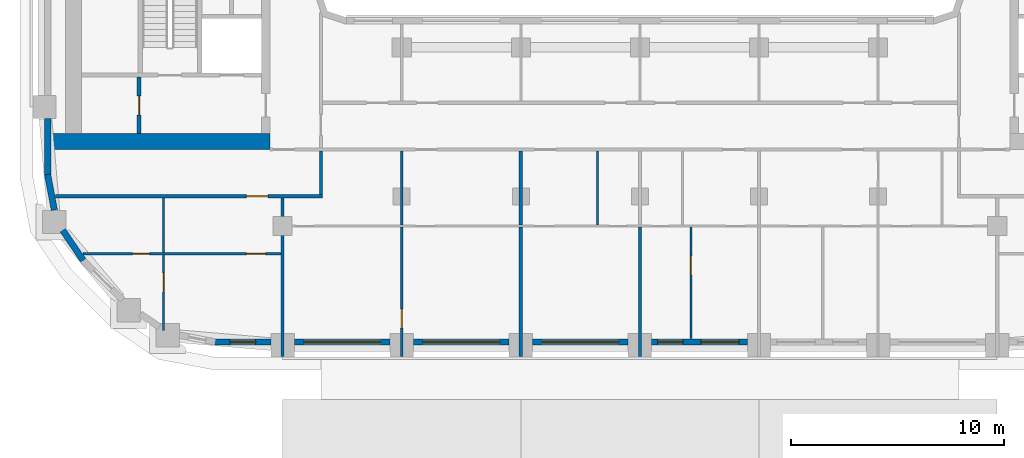
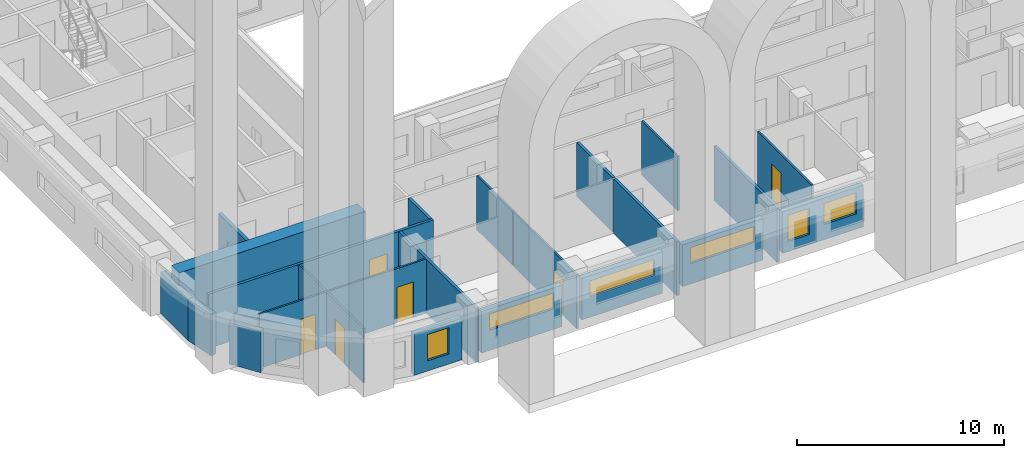
# One storey, part 2 of 18: 23 walls, 7 doors, 6 windows, 13 openings.
"""IFC4 building model written with IfcOpenShell, lengths in metres."""

import ifcopenshell
import ifcopenshell.guid

model = None  # the IFC model being written
_history = None  # IfcOwnerHistory: only IFC2X3 demands one
_inside = {}  # id of a spatial element -> (the spatial element, [elements in it])
_under = {}  # id of a project, library or spatial element -> (it, [spatial elements below it])
_declared = {}  # id of a project -> (the project, [libraries it declares])
_typed = {}  # id of a type object -> (the type object, [elements of that type])
_made_of = {}  # id of a material, layer set ... -> (it, [elements and type objects made of it])


def new_model(schema):
    """Start an empty IFC model of exactly this schema.

    Asked for "IFC4X3", IfcOpenShell would pick the latest addendum, in which some entities
    have other attributes; the version numbers below select the first issue.
    IFC2X3 requires an IfcOwnerHistory on every rooted entity: one is made here for all.
    """
    global model, _history
    if schema == "IFC4X3":
        model = ifcopenshell.file(schema_version=(4, 3, 0, 0))
    else:
        model = ifcopenshell.file(schema=schema)
    _inside.clear()
    _under.clear()
    _declared.clear()
    _typed.clear()
    _made_of.clear()
    _history = None
    if model.schema == "IFC2X3":
        org = make("IfcOrganization", Name="unknown")
        user = make(
            "IfcPersonAndOrganization",
            ThePerson=make("IfcPerson", FamilyName="unknown"),
            TheOrganization=org,
        )
        app = make(
            "IfcApplication",
            ApplicationDeveloper=org,
            Version="unknown",
            ApplicationFullName="unknown",
            ApplicationIdentifier="unknown",
        )
        _history = make(
            "IfcOwnerHistory",
            OwningUser=user,
            OwningApplication=app,
            ChangeAction="ADDED",
            CreationDate=0,
        )
    return model


def make(cls, **values):
    """One entity of the class cls with the attributes given. An attribute that is None is left unset."""
    return model.create_entity(
        cls, **{name: value for name, value in values.items() if value is not None}
    )


def rooted(cls, **values):
    """An entity with a GlobalId (a new one), such as an element, a storey or a relation."""
    return make(cls, GlobalId=ifcopenshell.guid.new(), OwnerHistory=_history, **values)


def si_unit(unit_type, name, prefix=None):
    """IfcSIUnit, for example si_unit("LENGTHUNIT", "METRE", prefix="MILLI")."""
    return make("IfcSIUnit", UnitType=unit_type, Prefix=prefix, Name=name)


def assignment(units):
    """IfcUnitAssignment: the units of a project."""
    return None if units is None else make("IfcUnitAssignment", Units=units)


def point(xyz):
    """IfcCartesianPoint."""
    return None if xyz is None else make("IfcCartesianPoint", Coordinates=xyz)


def direction(xyz):
    """IfcDirection."""
    return None if xyz is None else make("IfcDirection", DirectionRatios=xyz)


def frame(location, z_axis=None, x_axis=None):
    """IfcAxis2Placement3D, a coordinate frame: its origin and axes. An axis left out is left unset."""
    return make(
        "IfcAxis2Placement3D",
        Location=point(location),
        Axis=direction(z_axis),
        RefDirection=direction(x_axis),
    )


def frame_2d(location, x_axis=None):
    """IfcAxis2Placement2D, a coordinate frame in the plane: its origin and x axis."""
    return make(
        "IfcAxis2Placement2D", Location=point(location), RefDirection=direction(x_axis)
    )


def origin():
    """The frame at (0, 0, 0) with its axes left unset."""
    return frame((0.0, 0.0, 0.0))


def place(relative_to, where):
    """IfcLocalPlacement: puts the frame where relative to a parent placement (None: the world)."""
    return make(
        "IfcLocalPlacement", PlacementRelTo=relative_to, RelativePlacement=where
    )


def context(
    kind, dimensions, precision=None, world=None, true_north=None, identifier=None
):
    """IfcGeometricRepresentationContext, for example the 3D "Model" context."""
    return make(
        "IfcGeometricRepresentationContext",
        ContextIdentifier=identifier,
        ContextType=kind,
        CoordinateSpaceDimension=dimensions,
        Precision=precision,
        WorldCoordinateSystem=world,
        TrueNorth=true_north,
    )


def subcontext(parent, identifier, kind, view, scale=None):
    """IfcGeometricRepresentationSubContext, for example "Body" below "Model"."""
    return make(
        "IfcGeometricRepresentationSubContext",
        ContextIdentifier=identifier,
        ContextType=kind,
        ParentContext=parent,
        TargetScale=scale,
        TargetView=view,
    )


def project(units=None, contexts=None):
    """IfcProject with its units and contexts."""
    return rooted(
        "IfcProject",
        Name="project",
        RepresentationContexts=contexts,
        UnitsInContext=assignment(units),
    )


def spatial(cls, under=None, at=None, **own):
    """A site, building, storey or space (cls), placed at a placement, below another one or the project."""
    s = rooted(cls, ObjectPlacement=at, **own)
    if under is not None:
        _under.setdefault(under.id(), (under, []))[1].append(s)
    return s


def profile(cls, at=None, kind="AREA", **sizes):
    """A parametric profile (cls). Its sizes go by their IFC names, for example OverallWidth=200.0."""
    return make(cls, ProfileType=kind, Position=at, **sizes)


def rectangle(**sizes):
    """IfcRectangleProfileDef."""
    return profile("IfcRectangleProfileDef", **sizes)


def extrude(swept, where, along, depth):
    """IfcExtrudedAreaSolid: the profile swept, set in the frame where, extruded along a direction by depth."""
    return make(
        "IfcExtrudedAreaSolid",
        SweptArea=swept,
        Position=where,
        ExtrudedDirection=direction(along),
        Depth=depth,
    )


def shape(context_of_items, identifier, shape_type, items):
    """IfcShapeRepresentation: the items that make up one representation, for example the "Body"."""
    return make(
        "IfcShapeRepresentation",
        ContextOfItems=context_of_items,
        RepresentationIdentifier=identifier,
        RepresentationType=shape_type,
        Items=items,
    )


def material(Name=None, Category=None):
    """IfcMaterial."""
    return make("IfcMaterial", Name=Name, Category=Category)


def layer(
    of_material, thickness, ventilated=None, Name=None, Category=None, Priority=None
):
    """IfcMaterialLayer: one layer of a wall or slab, of a material (None: an air gap)."""
    return make(
        "IfcMaterialLayer",
        Material=of_material,
        LayerThickness=thickness,
        IsVentilated=ventilated,
        Name=Name,
        Category=Category,
        Priority=Priority,
    )


def layer_set(layers, Name=None):
    """IfcMaterialLayerSet."""
    return make("IfcMaterialLayerSet", MaterialLayers=layers, LayerSetName=Name)


def made_of(thing, what):
    """Note that an element or type object is made of a material, layer set ...; save() writes the relation."""
    if what is not None:
        _made_of.setdefault(what.id(), (what, []))[1].append(thing)
    return thing


def type_object(cls, material=None, **own):
    """A type object (cls), such as IfcWallType, which elements share."""
    return made_of(rooted(cls, **own), material)


def element(
    cls,
    number,
    at=None,
    inside=None,
    cuts=None,
    type_object=None,
    material=None,
    context=None,
    identifier="Body",
    shape_type=None,
    held_by="IfcProductDefinitionShape",
    body=None,
    shapes=None,
    **own,
):
    """One element of the class cls, such as IfcWall. Its Tag is "e" and its number.

    at: its placement. inside: the storey or other place that contains it. cuts: it is an
    opening in that element (IfcRelVoidsElement). A single representation is given by context,
    identifier, shape_type and body (its items); several are given by shapes. held_by: the class
    of the entity that holds the representations. save() writes the other relations.
    """
    e = rooted(cls, Tag="e%d" % number, ObjectPlacement=at, **own)
    if body is not None:
        shapes = [shape(context, identifier, shape_type, body)]
    if shapes is not None:
        e.Representation = make(held_by, Representations=shapes)
    if inside is not None:
        _inside.setdefault(inside.id(), (inside, []))[1].append(e)
    if cuts is not None:
        rooted(
            "IfcRelVoidsElement", RelatingBuildingElement=cuts, RelatedOpeningElement=e
        )
    if type_object is not None:
        _typed.setdefault(type_object.id(), (type_object, []))[1].append(e)
    return made_of(e, material)


def fill(opening, filler):
    """IfcRelFillsElement: the door or window that sits in an opening."""
    return rooted(
        "IfcRelFillsElement",
        RelatingOpeningElement=opening,
        RelatedBuildingElement=filler,
    )


def aggregate(whole, parts):
    """IfcRelAggregates: a whole, such as a stair, and the parts it consists of."""
    return rooted("IfcRelAggregates", RelatingObject=whole, RelatedObjects=parts)


def save(model, path):
    """Write the relations noted so far, then the file.

    IfcRelAggregates (storeys below a building ...), IfcRelContainedInSpatialStructure (elements
    in a storey), IfcRelDefinesByType, IfcRelAssociatesMaterial and IfcRelDeclares: one each for
    every whole, place, type object, material and project.
    """
    for whole, parts in _under.values():
        aggregate(whole, parts)
    for where, things in _inside.values():
        rooted(
            "IfcRelContainedInSpatialStructure",
            RelatedElements=things,
            RelatingStructure=where,
        )
    for kind, things in _typed.values():
        rooted("IfcRelDefinesByType", RelatedObjects=things, RelatingType=kind)
    for what, things in _made_of.values():
        rooted("IfcRelAssociatesMaterial", RelatedObjects=things, RelatingMaterial=what)
    for by, libraries in _declared.values():
        rooted("IfcRelDeclares", RelatingContext=by, RelatedDefinitions=libraries)
    model.write(path)


model = new_model("IFC4")

# Units and contexts
model_context = context("Model", 3, precision=1e-05, world=origin(), true_north=direction((0.0, 1.0)))
body_context = subcontext(model_context, "Body", "Model", "MODEL_VIEW")
ifc_project = project(units=[si_unit("LENGTHUNIT", "METRE"), si_unit("AREAUNIT", "SQUARE_METRE"), si_unit("VOLUMEUNIT", "CUBIC_METRE"), si_unit("PLANEANGLEUNIT", "RADIAN"), si_unit("MASSUNIT", "GRAM", prefix="KILO")], contexts=[model_context])

# Site, building, storey
site_placement = place(None, origin())
site = spatial("IfcSite", under=ifc_project, at=site_placement, CompositionType="ELEMENT")
building_placement = place(site_placement, origin())
building = spatial("IfcBuilding", under=site, at=building_placement, Name="Kiln Ring Residences", CompositionType="ELEMENT")
storey_placement = place(building_placement, frame((0.0, 0.0, 136.10009765625)))
storey = spatial("IfcBuildingStorey", under=building, at=storey_placement, Name="L34", CompositionType="ELEMENT", Elevation=136.10009765625)

# Wall, opening, door
ifc_material_1 = material(Name="Gypsum board on steel studs", Category="steel")
ifc_layer_1 = layer(ifc_material_1, 0.199951171875)
ifc_layer_set_1 = layer_set([ifc_layer_1], Name="CORE-PARTITION-200")
wall_type_1 = type_object("IfcWallType", Name="CORE-PARTITION-200", PredefinedType="PARTITIONING", material=ifc_layer_set_1)
wall_1_placement = place(storey_placement, frame((-23.550048828125, -12.449951171875, 0.0), z_axis=(0.0, 0.0, 1.0), x_axis=(0.0, 1.0, 0.0)))
wall_1 = element("IfcWall", 1, at=wall_1_placement, inside=storey, type_object=wall_type_1, Name="Core partition west L34 5", PredefinedType="PARTITIONING", context=body_context, shape_type="SweptSolid", body=[
    extrude(rectangle(XDim=2.64990234375, YDim=0.199951171875, at=frame_2d((1.324951171875, 0.0))), origin(), (0.0, 0.0, 1.0), 3.199951171875),
])
opening_1_placement = place(wall_1_placement, frame((0.875, 0.0, 0.0)))
opening_1 = element("IfcOpeningElement", 2, at=opening_1_placement, cuts=wall_1, Name="Opening L34-CW10", PredefinedType="OPENING", context=body_context, shape_type="SweptSolid", body=[
    extrude(rectangle(XDim=0.89990234375, YDim=2.10009765625, at=frame_2d((0.449951171875, 1.050048828125))), frame((0.0, 0.10986328125, 0.0), z_axis=(0.0, -1.0, 0.0), x_axis=(1.0, 0.0, 0.0)), (0.0, 0.0, 1.0), 0.219970703125),
])
ifc_material_2 = material(Name="Steel door leaf", Category="steel")
door_type_1 = type_object("IfcDoorType", Name="CORE-DOOR-ROOM", OperationType="SINGLE_SWING_LEFT", PredefinedType="DOOR", material=ifc_material_2)
door_1_placement = place(opening_1_placement, origin())
door_1 = element("IfcDoor", 3, at=door_1_placement, inside=storey, type_object=door_type_1, Name="Store L34-CW10", OperationType="SINGLE_SWING_RIGHT", OverallHeight=2.10009765625, OverallWidth=0.89990234375, PredefinedType="DOOR", context=body_context, shape_type="SweptSolid", body=[
    extrude(rectangle(XDim=0.89990234375, YDim=2.10009765625, at=frame_2d((0.449951171875, 1.050048828125))), frame((0.0, 0.02490234375, 0.0), z_axis=(0.0, -1.0, 0.0), x_axis=(1.0, 0.0, 0.0)), (0.0, 0.0, 1.0), 0.050048828125),
])
fill(opening_1, door_1)

# Wall
ifc_material_3 = material(Name="Concrete C60/75", Category="concrete")
ifc_layer_2 = layer(ifc_material_3, 0.75)
ifc_layer_set_2 = layer_set([ifc_layer_2], Name="CORE-WALL-RC750")
wall_type_2 = type_object("IfcWallType", Name="CORE-WALL-RC750", PredefinedType="SHEAR", material=ifc_layer_set_2)
wall_2_placement = place(storey_placement, frame((-17.39990234375, -12.824951171875, 0.0), z_axis=(0.0, 0.0, 1.0), x_axis=(-1.0, 0.0, 0.0)))
element("IfcWall", 4, at=wall_2_placement, inside=storey, type_object=wall_type_2, Name="Core wall west L34 5", PredefinedType="SHEAR", context=body_context, shape_type="SweptSolid", body=[
    extrude(rectangle(XDim=10.400146484375, YDim=0.75, at=frame_2d((5.2001953125, 0.0))), origin(), (0.0, 0.0, 1.0), 3.199951171875),
])

# Wall, opening, window
ifc_material_4 = material(Name="Brick masonry, dark clay brick", Category="masonry")
ifc_layer_3 = layer(ifc_material_4, 0.300048828125)
ifc_layer_set_3 = layer_set([ifc_layer_3], Name="EW-300 BRICK WALL")
wall_type_3 = type_object("IfcWallType", Name="EW-300 BRICK WALL", PredefinedType="SOLIDWALL", material=ifc_layer_set_3)
wall_3_placement = place(storey_placement, frame((-20.0, -22.25, 0.0), z_axis=(0.0, 0.0, 1.0), x_axis=(1.0, 0.0, 0.0)))
wall_3 = element("IfcWall", 5, at=wall_3_placement, inside=storey, type_object=wall_type_3, Name="Facade wall L34 4", PredefinedType="SOLIDWALL", context=body_context, shape_type="SweptSolid", body=[
    extrude(rectangle(XDim=2.64990234375, YDim=0.300048828125, at=frame_2d((1.324951171875, 0.0))), origin(), (0.0, 0.0, 1.0), 2.449951171875),
])
opening_2_placement = place(wall_3_placement, frame((0.72509765625, 0.0, 0.60009765625)))
opening_2 = element("IfcOpeningElement", 6, at=opening_2_placement, cuts=wall_3, Name="Opening W1", PredefinedType="OPENING", context=body_context, shape_type="SweptSolid", body=[
    extrude(rectangle(XDim=1.199951171875, YDim=1.550048828125, at=frame_2d((0.60009765625, 0.77490234375))), frame((0.0, 0.159912109375, 0.0), z_axis=(0.0, -1.0, 0.0), x_axis=(1.0, 0.0, 0.0)), (0.0, 0.0, 1.0), 0.320068359375),
])
ifc_material_5 = material(Name="Aluminium frame with double glazing", Category="aluminium")
window_type_1 = type_object("IfcWindowType", Name="WINDOW 1200 x 1550", PartitioningType="SINGLE_PANEL", PredefinedType="WINDOW", material=ifc_material_5)
window_1_placement = place(opening_2_placement, origin())
window_1 = element("IfcWindow", 7, at=window_1_placement, inside=storey, type_object=window_type_1, Name="Window L34 3", OverallHeight=1.550048828125, OverallWidth=1.199951171875, PartitioningType="SINGLE_PANEL", PredefinedType="WINDOW", context=body_context, shape_type="SweptSolid", body=[
    extrude(rectangle(XDim=1.199951171875, YDim=1.550048828125, at=frame_2d((0.60009765625, 0.77490234375))), frame((0.0, 0.030029296875, 0.0), z_axis=(0.0, -1.0, 0.0), x_axis=(1.0, 0.0, 0.0)), (0.0, 0.0, 1.0), 0.06005859375),
])
fill(opening_2, window_1)

wall_4_placement = place(storey_placement, frame((-16.25, -22.25, 0.0), z_axis=(0.0, 0.0, 1.0), x_axis=(1.0, 0.0, 0.0)))
wall_4 = element("IfcWall", 8, at=wall_4_placement, inside=storey, type_object=wall_type_3, Name="Facade wall L34 5", PredefinedType="SOLIDWALL", context=body_context, shape_type="SweptSolid", body=[
    extrude(rectangle(XDim=4.5, YDim=0.300048828125, at=frame_2d((2.25, 0.0))), origin(), (0.0, 0.0, 1.0), 2.449951171875),
])
opening_3_placement = place(wall_4_placement, frame((0.449951171875, 0.0, 1.199951171875)))
opening_3 = element("IfcOpeningElement", 9, at=opening_3_placement, cuts=wall_4, Name="Opening W4", PredefinedType="OPENING", context=body_context, shape_type="SweptSolid", body=[
    extrude(rectangle(XDim=3.60009765625, YDim=0.949951171875, at=frame_2d((1.800048828125, 0.47509765625))), frame((0.0, 0.159912109375, 0.0), z_axis=(0.0, -1.0, 0.0), x_axis=(1.0, 0.0, 0.0)), (0.0, 0.0, 1.0), 0.320068359375),
])
ifc_material_6 = material(Name="Aluminium frame with double glazing", Category="aluminium")
window_type_2 = type_object("IfcWindowType", Name="WINDOW 3600 x 950", PartitioningType="SINGLE_PANEL", PredefinedType="WINDOW", material=ifc_material_6)
window_2_placement = place(opening_3_placement, origin())
window_2 = element("IfcWindow", 10, at=window_2_placement, inside=storey, type_object=window_type_2, Name="Window L34 4", OverallHeight=0.949951171875, OverallWidth=3.60009765625, PartitioningType="SINGLE_PANEL", PredefinedType="WINDOW", context=body_context, shape_type="SweptSolid", body=[
    extrude(rectangle(XDim=3.60009765625, YDim=0.949951171875, at=frame_2d((1.800048828125, 0.47509765625))), frame((0.0, 0.030029296875, 0.0), z_axis=(0.0, -1.0, 0.0), x_axis=(1.0, 0.0, 0.0)), (0.0, 0.0, 1.0), 0.06005859375),
])
fill(opening_3, window_2)

wall_5_placement = place(storey_placement, frame((-10.64990234375, -22.25, 0.0), z_axis=(0.0, 0.0, 1.0), x_axis=(1.0, 0.0, 0.0)))
wall_5 = element("IfcWall", 11, at=wall_5_placement, inside=storey, type_object=wall_type_3, Name="Facade wall L34 6", PredefinedType="SOLIDWALL", context=body_context, shape_type="SweptSolid", body=[
    extrude(rectangle(XDim=4.5, YDim=0.300048828125, at=frame_2d((2.25, 0.0))), origin(), (0.0, 0.0, 1.0), 2.449951171875),
])
opening_4_placement = place(wall_5_placement, frame((0.449951171875, 0.0, 1.199951171875)))
opening_4 = element("IfcOpeningElement", 12, at=opening_4_placement, cuts=wall_5, Name="Opening W4", PredefinedType="OPENING", context=body_context, shape_type="SweptSolid", body=[
    extrude(rectangle(XDim=3.60009765625, YDim=0.949951171875, at=frame_2d((1.800048828125, 0.47509765625))), frame((0.0, 0.159912109375, 0.0), z_axis=(0.0, -1.0, 0.0), x_axis=(1.0, 0.0, 0.0)), (0.0, 0.0, 1.0), 0.320068359375),
])
window_3_placement = place(opening_4_placement, origin())
window_3 = element("IfcWindow", 13, at=window_3_placement, inside=storey, type_object=window_type_2, Name="Window L34 5", OverallHeight=0.949951171875, OverallWidth=3.60009765625, PartitioningType="SINGLE_PANEL", PredefinedType="WINDOW", context=body_context, shape_type="SweptSolid", body=[
    extrude(rectangle(XDim=3.60009765625, YDim=0.949951171875, at=frame_2d((1.800048828125, 0.47509765625))), frame((0.0, 0.030029296875, 0.0), z_axis=(0.0, -1.0, 0.0), x_axis=(1.0, 0.0, 0.0)), (0.0, 0.0, 1.0), 0.06005859375),
])
fill(opening_4, window_3)

wall_6_placement = place(storey_placement, frame((-5.050048828125, -22.25, 0.0), z_axis=(0.0, 0.0, 1.0), x_axis=(1.0, 0.0, 0.0)))
wall_6 = element("IfcWall", 14, at=wall_6_placement, inside=storey, type_object=wall_type_3, Name="Facade wall L34 7", PredefinedType="SOLIDWALL", context=body_context, shape_type="SweptSolid", body=[
    extrude(rectangle(XDim=4.5, YDim=0.300048828125, at=frame_2d((2.25, 0.0))), origin(), (0.0, 0.0, 1.0), 2.449951171875),
])
opening_5_placement = place(wall_6_placement, frame((0.449951171875, 0.0, 1.199951171875)))
opening_5 = element("IfcOpeningElement", 15, at=opening_5_placement, cuts=wall_6, Name="Opening W4", PredefinedType="OPENING", context=body_context, shape_type="SweptSolid", body=[
    extrude(rectangle(XDim=3.60009765625, YDim=0.949951171875, at=frame_2d((1.800048828125, 0.47509765625))), frame((0.0, 0.159912109375, 0.0), z_axis=(0.0, -1.0, 0.0), x_axis=(1.0, 0.0, 0.0)), (0.0, 0.0, 1.0), 0.320068359375),
])
window_4_placement = place(opening_5_placement, origin())
window_4 = element("IfcWindow", 16, at=window_4_placement, inside=storey, type_object=window_type_2, Name="Window L34 6", OverallHeight=0.949951171875, OverallWidth=3.60009765625, PartitioningType="SINGLE_PANEL", PredefinedType="WINDOW", context=body_context, shape_type="SweptSolid", body=[
    extrude(rectangle(XDim=3.60009765625, YDim=0.949951171875, at=frame_2d((1.800048828125, 0.47509765625))), frame((0.0, 0.030029296875, 0.0), z_axis=(0.0, -1.0, 0.0), x_axis=(1.0, 0.0, 0.0)), (0.0, 0.0, 1.0), 0.06005859375),
])
fill(opening_5, window_4)

# Wall, openings, windows
wall_7_placement = place(storey_placement, frame((0.550048828125, -22.25, 0.0), z_axis=(0.0, 0.0, 1.0), x_axis=(1.0, 0.0, 0.0)))
wall_7 = element("IfcWall", 17, at=wall_7_placement, inside=storey, type_object=wall_type_3, Name="Facade wall L34 8", PredefinedType="SOLIDWALL", context=body_context, shape_type="SweptSolid", body=[
    extrude(rectangle(XDim=4.5, YDim=0.300048828125, at=frame_2d((2.25, 0.0))), origin(), (0.0, 0.0, 1.0), 2.449951171875),
])
opening_6_placement = place(wall_7_placement, frame((0.28759765625, 0.0, 0.60009765625)))
opening_6 = element("IfcOpeningElement", 18, at=opening_6_placement, cuts=wall_7, Name="Opening W1", PredefinedType="OPENING", context=body_context, shape_type="SweptSolid", body=[
    extrude(rectangle(XDim=1.199951171875, YDim=1.550048828125, at=frame_2d((0.60009765625, 0.77490234375))), frame((0.0, 0.159912109375, 0.0), z_axis=(0.0, -1.0, 0.0), x_axis=(1.0, 0.0, 0.0)), (0.0, 0.0, 1.0), 0.320068359375),
])
opening_7_placement = place(wall_7_placement, frame((2.3125, 0.0, 0.89990234375)))
opening_7 = element("IfcOpeningElement", 19, at=opening_7_placement, cuts=wall_7, Name="Opening W2", PredefinedType="OPENING", context=body_context, shape_type="SweptSolid", body=[
    extrude(rectangle(XDim=1.800048828125, YDim=1.25, at=frame_2d((0.89990234375, 0.625))), frame((0.0, 0.159912109375, 0.0), z_axis=(0.0, -1.0, 0.0), x_axis=(1.0, 0.0, 0.0)), (0.0, 0.0, 1.0), 0.320068359375),
])
window_5_placement = place(opening_6_placement, origin())
window_5 = element("IfcWindow", 20, at=window_5_placement, inside=storey, type_object=window_type_1, Name="Window L34 7", OverallHeight=1.550048828125, OverallWidth=1.199951171875, PartitioningType="SINGLE_PANEL", PredefinedType="WINDOW", context=body_context, shape_type="SweptSolid", body=[
    extrude(rectangle(XDim=1.199951171875, YDim=1.550048828125, at=frame_2d((0.60009765625, 0.77490234375))), frame((0.0, 0.030029296875, 0.0), z_axis=(0.0, -1.0, 0.0), x_axis=(1.0, 0.0, 0.0)), (0.0, 0.0, 1.0), 0.06005859375),
])
fill(opening_6, window_5)
ifc_material_7 = material(Name="Aluminium frame with double glazing", Category="aluminium")
window_type_3 = type_object("IfcWindowType", Name="WINDOW 1800 x 1250", PartitioningType="SINGLE_PANEL", PredefinedType="WINDOW", material=ifc_material_7)
window_6_placement = place(opening_7_placement, origin())
window_6 = element("IfcWindow", 21, at=window_6_placement, inside=storey, type_object=window_type_3, Name="Window L34 8", OverallHeight=1.25, OverallWidth=1.800048828125, PartitioningType="SINGLE_PANEL", PredefinedType="WINDOW", context=body_context, shape_type="SweptSolid", body=[
    extrude(rectangle(XDim=1.800048828125, YDim=1.25, at=frame_2d((0.89990234375, 0.625))), frame((0.0, 0.030029296875, 0.0), z_axis=(0.0, -1.0, 0.0), x_axis=(1.0, 0.0, 0.0)), (0.0, 0.0, 1.0), 0.06005859375),
])
fill(opening_7, window_6)

# Walls
wall_8_placement = place(storey_placement, frame((-27.85009765625, -11.75, 0.0), z_axis=(0.0, 0.0, 1.0), x_axis=(0.0, -1.0, 0.0)))
element("IfcWall", 22, at=wall_8_placement, inside=storey, type_object=wall_type_3, Name="Facade wall L34 46", PredefinedType="SOLIDWALL", context=body_context, shape_type="SweptSolid", body=[
    extrude(rectangle(XDim=2.64990234375, YDim=0.300048828125, at=frame_2d((1.324951171875, 0.0))), origin(), (0.0, 0.0, 1.0), 2.449951171875),
])
wall_9_placement = place(storey_placement, frame((-27.8525390625, -14.371826171875, 0.0), z_axis=(0.0, 0.0, 1.0), x_axis=(0.187302784601, -0.982302227871, 0.0)))
element("IfcWall", 23, at=wall_9_placement, inside=storey, type_object=wall_type_3, Name="Facade wall L34 47", PredefinedType="SOLIDWALL", context=body_context, shape_type="SweptSolid", body=[
    extrude(rectangle(XDim=1.706298828125, YDim=0.300048828125, at=frame_2d((0.85302734375, 0.0))), origin(), (0.0, 0.0, 1.0), 2.449951171875),
])
wall_10_placement = place(storey_placement, frame((-27.137939453125, -17.001708984375, 0.0), z_axis=(0.0, 0.0, 1.0), x_axis=(0.562075160946, -0.827086158419, 0.0)))
element("IfcWall", 24, at=wall_10_placement, inside=storey, type_object=wall_type_3, Name="Facade wall L34 48", PredefinedType="SOLIDWALL", context=body_context, shape_type="SweptSolid", body=[
    extrude(rectangle(XDim=1.7060546875, YDim=0.300048828125, at=frame_2d((0.85302734375, 0.0))), origin(), (0.0, 0.0, 1.0), 2.449951171875),
])

# Wall, openings, doors
ifc_material_8 = material(Name="Gypsum board on steel studs", Category="steel")
ifc_layer_4 = layer(ifc_material_8, 0.10009765625)
ifc_layer_set_4 = layer_set([ifc_layer_4], Name="PARTITION-100")
wall_type_4 = type_object("IfcWallType", Name="PARTITION-100", PredefinedType="PARTITIONING", material=ifc_layer_set_4)
wall_11_placement = place(storey_placement, frame((-26.190185546875, -18.10009765625, 0.0), z_axis=(0.0, 0.0, 1.0), x_axis=(1.0, 0.0, 0.0)))
wall_11 = element("IfcWall", 25, at=wall_11_placement, inside=storey, type_object=wall_type_4, Name="Partition 000", PredefinedType="PARTITIONING", context=body_context, shape_type="SweptSolid", body=[
    extrude(rectangle(XDim=9.315185546875, YDim=0.10009765625, at=frame_2d((4.65771484375, 0.0))), origin(), (0.0, 0.0, 1.0), 3.199951171875),
])
opening_8_placement = place(wall_11_placement, frame((2.340087890625, 0.0, 0.0)))
opening_8 = element("IfcOpeningElement", 26, at=opening_8_placement, cuts=wall_11, Name="Opening L34-D071", PredefinedType="OPENING", context=body_context, shape_type="SweptSolid", body=[
    extrude(rectangle(XDim=0.800048828125, YDim=2.10009765625, at=frame_2d((0.39990234375, 1.050048828125))), frame((0.0, 0.06005859375, 0.0), z_axis=(0.0, -1.0, 0.0), x_axis=(1.0, 0.0, 0.0)), (0.0, 0.0, 1.0), 0.1201171875),
])
opening_9_placement = place(wall_11_placement, frame((7.690185546875, 0.0, 0.0)))
opening_9 = element("IfcOpeningElement", 27, at=opening_9_placement, cuts=wall_11, Name="Opening L34-D072", PredefinedType="OPENING", context=body_context, shape_type="SweptSolid", body=[
    extrude(rectangle(XDim=0.89990234375, YDim=2.10009765625, at=frame_2d((0.449951171875, 1.050048828125))), frame((0.0, 0.06005859375, 0.0), z_axis=(0.0, -1.0, 0.0), x_axis=(1.0, 0.0, 0.0)), (0.0, 0.0, 1.0), 0.1201171875),
])
ifc_material_9 = material(Name="Timber door leaf", Category="wood")
door_type_2 = type_object("IfcDoorType", Name="FLAT-DOOR-800-PL", OperationType="SINGLE_SWING_LEFT", PredefinedType="DOOR", material=ifc_material_9)
door_2_placement = place(opening_8_placement, origin())
door_2 = element("IfcDoor", 28, at=door_2_placement, inside=storey, type_object=door_type_2, Name="Door L34-D071", OperationType="SINGLE_SWING_LEFT", OverallHeight=2.10009765625, OverallWidth=0.800048828125, PredefinedType="DOOR", context=body_context, shape_type="SweptSolid", body=[
    extrude(rectangle(XDim=0.800048828125, YDim=2.10009765625, at=frame_2d((0.39990234375, 1.050048828125))), frame((0.0, 0.02490234375, 0.0), z_axis=(0.0, -1.0, 0.0), x_axis=(1.0, 0.0, 0.0)), (0.0, 0.0, 1.0), 0.050048828125),
])
fill(opening_8, door_2)
ifc_material_10 = material(Name="Timber door leaf", Category="wood")
door_type_3 = type_object("IfcDoorType", Name="FLAT-DOOR-900-PL", OperationType="SINGLE_SWING_LEFT", PredefinedType="DOOR", material=ifc_material_10)
door_3_placement = place(opening_9_placement, origin())
door_3 = element("IfcDoor", 29, at=door_3_placement, inside=storey, type_object=door_type_3, Name="Door L34-D072", OperationType="SINGLE_SWING_RIGHT", OverallHeight=2.10009765625, OverallWidth=0.89990234375, PredefinedType="DOOR", context=body_context, shape_type="SweptSolid", body=[
    extrude(rectangle(XDim=0.89990234375, YDim=2.10009765625, at=frame_2d((0.449951171875, 1.050048828125))), frame((0.0, 0.02490234375, 0.0), z_axis=(0.0, -1.0, 0.0), x_axis=(1.0, 0.0, 0.0)), (0.0, 0.0, 1.0), 0.050048828125),
])
fill(opening_9, door_3)

# Wall, opening, door
wall_12_placement = place(storey_placement, frame((-22.39990234375, -21.719970703125, 0.0), z_axis=(0.0, 0.0, 1.0), x_axis=(0.0, 1.0, 0.0)))
wall_12 = element("IfcWall", 30, at=wall_12_placement, inside=storey, type_object=wall_type_4, Name="Partition 014", PredefinedType="PARTITIONING", context=body_context, shape_type="SweptSolid", body=[
    extrude(rectangle(XDim=3.570068359375, YDim=0.10009765625, at=frame_2d((1.78515625, 0.0))), origin(), (0.0, 0.0, 1.0), 3.199951171875),
])
opening_10_placement = place(wall_12_placement, frame((1.820068359375, 0.0, 0.0)))
opening_10 = element("IfcOpeningElement", 31, at=opening_10_placement, cuts=wall_12, Name="Opening L34-D073", PredefinedType="OPENING", context=body_context, shape_type="SweptSolid", body=[
    extrude(rectangle(XDim=0.89990234375, YDim=2.10009765625, at=frame_2d((0.449951171875, 1.050048828125))), frame((0.0, 0.06005859375, 0.0), z_axis=(0.0, -1.0, 0.0), x_axis=(1.0, 0.0, 0.0)), (0.0, 0.0, 1.0), 0.1201171875),
])
door_4_placement = place(opening_10_placement, origin())
door_4 = element("IfcDoor", 32, at=door_4_placement, inside=storey, type_object=door_type_3, Name="Door L34-D073", OperationType="SINGLE_SWING_LEFT", OverallHeight=2.10009765625, OverallWidth=0.89990234375, PredefinedType="DOOR", context=body_context, shape_type="SweptSolid", body=[
    extrude(rectangle(XDim=0.89990234375, YDim=2.10009765625, at=frame_2d((0.449951171875, 1.050048828125))), frame((0.0, 0.02490234375, 0.0), z_axis=(0.0, -1.0, 0.0), x_axis=(1.0, 0.0, 0.0)), (0.0, 0.0, 1.0), 0.050048828125),
])
fill(opening_10, door_4)

# Wall
wall_13_placement = place(storey_placement, frame((-22.39990234375, -18.050048828125, 0.0), z_axis=(0.0, 0.0, 1.0), x_axis=(0.0, 1.0, 0.0)))
element("IfcWall", 33, at=wall_13_placement, inside=storey, type_object=wall_type_4, Name="Partition 015", PredefinedType="PARTITIONING", context=body_context, shape_type="SweptSolid", body=[
    extrude(rectangle(XDim=2.574951171875, YDim=0.10009765625, at=frame_2d((1.28759765625, 0.0))), origin(), (0.0, 0.0, 1.0), 3.199951171875),
])

# Wall, opening, door
wall_14_placement = place(storey_placement, frame((-11.199951171875, -22.929931640625, 0.0), z_axis=(0.0, 0.0, 1.0), x_axis=(0.0, 1.0, 0.0)))
wall_14 = element("IfcWall", 34, at=wall_14_placement, inside=storey, type_object=wall_type_4, Name="Partition 024", PredefinedType="PARTITIONING", context=body_context, shape_type="SweptSolid", body=[
    extrude(rectangle(XDim=6.079833984375, YDim=0.10009765625, at=frame_2d((3.0400390625, 0.0))), origin(), (0.0, 0.0, 1.0), 3.199951171875),
])
opening_11_placement = place(wall_14_placement, frame((1.330078125, 0.0, 0.0)))
opening_11 = element("IfcOpeningElement", 35, at=opening_11_placement, cuts=wall_14, Name="Opening L34-D052", PredefinedType="OPENING", context=body_context, shape_type="SweptSolid", body=[
    extrude(rectangle(XDim=0.89990234375, YDim=2.10009765625, at=frame_2d((0.449951171875, 1.050048828125))), frame((0.0, 0.06005859375, 0.0), z_axis=(0.0, -1.0, 0.0), x_axis=(1.0, 0.0, 0.0)), (0.0, 0.0, 1.0), 0.1201171875),
])
door_5_placement = place(opening_11_placement, origin())
door_5 = element("IfcDoor", 36, at=door_5_placement, inside=storey, type_object=door_type_3, Name="Door L34-D052", OperationType="SINGLE_SWING_RIGHT", OverallHeight=2.10009765625, OverallWidth=0.89990234375, PredefinedType="DOOR", context=body_context, shape_type="SweptSolid", body=[
    extrude(rectangle(XDim=0.89990234375, YDim=2.10009765625, at=frame_2d((0.449951171875, 1.050048828125))), frame((0.0, 0.02490234375, 0.0), z_axis=(0.0, -1.0, 0.0), x_axis=(1.0, 0.0, 0.0)), (0.0, 0.0, 1.0), 0.050048828125),
])
fill(opening_11, door_5)

# Walls
for number, where, z_axis, x_axis, name in (
    (37, (-11.199951171875, -16.75, 0.0), (0.0, 0.0, 1.0), (0.0, 1.0, 0.0), "Partition 025"),
    (38, (-2.0, -16.75, 0.0), (0.0, 0.0, 1.0), (0.0, 1.0, 0.0), "Partition 038"),
):
    element("IfcWall", number, at=place(storey_placement, frame(where, z_axis=z_axis, x_axis=x_axis)), inside=storey, type_object=wall_type_4, Name=name, PredefinedType="PARTITIONING", context=body_context, shape_type="SweptSolid", body=[
        extrude(rectangle(XDim=3.47509765625, YDim=0.10009765625, at=frame_2d((1.737548828125, 0.0))), origin(), (0.0, 0.0, 1.0), 3.199951171875),
    ])

# Wall, opening, door
wall_15_placement = place(storey_placement, frame((2.39990234375, -22.080078125, 0.0), z_axis=(0.0, 0.0, 1.0), x_axis=(0.0, 1.0, 0.0)))
wall_15 = element("IfcWall", 39, at=wall_15_placement, inside=storey, type_object=wall_type_4, Name="Partition 046", PredefinedType="PARTITIONING", context=body_context, shape_type="SweptSolid", body=[
    extrude(rectangle(XDim=5.22998046875, YDim=0.10009765625, at=frame_2d((2.614990234375, 0.0))), origin(), (0.0, 0.0, 1.0), 3.199951171875),
])
opening_12_placement = place(wall_15_placement, frame((2.97998046875, 0.0, 0.0)))
opening_12 = element("IfcOpeningElement", 40, at=opening_12_placement, cuts=wall_15, Name="Opening L34-D059", PredefinedType="OPENING", context=body_context, shape_type="SweptSolid", body=[
    extrude(rectangle(XDim=0.89990234375, YDim=2.10009765625, at=frame_2d((0.449951171875, 1.050048828125))), frame((0.0, 0.06005859375, 0.0), z_axis=(0.0, -1.0, 0.0), x_axis=(1.0, 0.0, 0.0)), (0.0, 0.0, 1.0), 0.1201171875),
])
door_6_placement = place(opening_12_placement, origin())
door_6 = element("IfcDoor", 41, at=door_6_placement, inside=storey, type_object=door_type_3, Name="Door L34-D059", OperationType="SINGLE_SWING_LEFT", OverallHeight=2.10009765625, OverallWidth=0.89990234375, PredefinedType="DOOR", context=body_context, shape_type="SweptSolid", body=[
    extrude(rectangle(XDim=0.89990234375, YDim=2.10009765625, at=frame_2d((0.449951171875, 1.050048828125))), frame((0.0, 0.02490234375, 0.0), z_axis=(0.0, -1.0, 0.0), x_axis=(1.0, 0.0, 0.0)), (0.0, 0.0, 1.0), 0.050048828125),
])
fill(opening_12, door_6)

ifc_material_11 = material(Name="Brick masonry partition", Category="masonry")
ifc_layer_5 = layer(ifc_material_11, 0.14990234375)
ifc_layer_set_5 = layer_set([ifc_layer_5], Name="PARTITION-150-ei60")
wall_type_5 = type_object("IfcWallType", Name="PARTITION-150-ei60", PredefinedType="PARTITIONING", material=ifc_layer_set_5)
wall_16_placement = place(storey_placement, frame((-27.48388671875, -15.39990234375, 0.0), z_axis=(0.0, 0.0, 1.0), x_axis=(1.0, 0.0, 0.0)))
wall_16 = element("IfcWall", 42, at=wall_16_placement, inside=storey, type_object=wall_type_5, Name="Partition 003", PredefinedType="PARTITIONING", context=body_context, shape_type="SweptSolid", body=[
    extrude(rectangle(XDim=12.558837890625, YDim=0.14990234375, at=frame_2d((6.279296875, 0.0))), origin(), (0.0, 0.0, 1.0), 3.199951171875),
])
opening_13_placement = place(wall_16_placement, frame((8.98388671875, 0.0, 0.0)))
opening_13 = element("IfcOpeningElement", 43, at=opening_13_placement, cuts=wall_16, Name="Opening L34-D070", PredefinedType="OPENING", context=body_context, shape_type="SweptSolid", body=[
    extrude(rectangle(XDim=1.0, YDim=2.10009765625, at=frame_2d((0.5, 1.050048828125))), frame((0.0, 0.0849609375, 0.0), z_axis=(0.0, -1.0, 0.0), x_axis=(1.0, 0.0, 0.0)), (0.0, 0.0, 1.0), 0.169921875),
])
ifc_material_12 = material(Name="Steel faced fire door leaf", Category="steel")
door_type_4 = type_object("IfcDoorType", Name="FLAT-DOOR-1000-FR", OperationType="SINGLE_SWING_LEFT", PredefinedType="DOOR", material=ifc_material_12)
door_7_placement = place(opening_13_placement, origin())
door_7 = element("IfcDoor", 44, at=door_7_placement, inside=storey, type_object=door_type_4, Name="Door L34-D070", OperationType="SINGLE_SWING_RIGHT", OverallHeight=2.10009765625, OverallWidth=1.0, PredefinedType="DOOR", context=body_context, shape_type="SweptSolid", body=[
    extrude(rectangle(XDim=1.0, YDim=2.10009765625, at=frame_2d((0.5, 1.050048828125))), frame((0.0, 0.02490234375, 0.0), z_axis=(0.0, -1.0, 0.0), x_axis=(1.0, 0.0, 0.0)), (0.0, 0.0, 1.0), 0.050048828125),
])
fill(opening_13, door_7)

# Walls
wall_17_placement = place(storey_placement, frame((-16.800048828125, -22.929931640625, 0.0), z_axis=(0.0, 0.0, 1.0), x_axis=(0.0, 1.0, 0.0)))
element("IfcWall", 45, at=wall_17_placement, inside=storey, type_object=wall_type_5, Name="Partition 018", PredefinedType="PARTITIONING", context=body_context, shape_type="SweptSolid", body=[
    extrude(rectangle(XDim=7.454833984375, YDim=0.14990234375, at=frame_2d((3.7275390625, 0.0))), origin(), (0.0, 0.0, 1.0), 3.199951171875),
])
wall_18_placement = place(storey_placement, frame((-15.0, -15.324951171875, 0.0), z_axis=(0.0, 0.0, 1.0), x_axis=(0.0, 1.0, 0.0)))
element("IfcWall", 46, at=wall_18_placement, inside=storey, type_object=wall_type_5, Name="Partition 020", PredefinedType="PARTITIONING", context=body_context, shape_type="SweptSolid", body=[
    extrude(rectangle(XDim=2.050048828125, YDim=0.14990234375, at=frame_2d((1.02490234375, 0.0))), origin(), (0.0, 0.0, 1.0), 3.199951171875),
])
wall_19_placement = place(storey_placement, frame((-5.60009765625, -22.929931640625, 0.0), z_axis=(0.0, 0.0, 1.0), x_axis=(0.0, 1.0, 0.0)))
element("IfcWall", 47, at=wall_19_placement, inside=storey, type_object=wall_type_5, Name="Partition 032", PredefinedType="PARTITIONING", context=body_context, shape_type="SweptSolid", body=[
    extrude(rectangle(XDim=6.079833984375, YDim=0.14990234375, at=frame_2d((3.0400390625, 0.0))), origin(), (0.0, 0.0, 1.0), 3.199951171875),
])
wall_20_placement = place(storey_placement, frame((-5.60009765625, -16.75, 0.0), z_axis=(0.0, 0.0, 1.0), x_axis=(0.0, 1.0, 0.0)))
element("IfcWall", 48, at=wall_20_placement, inside=storey, type_object=wall_type_5, Name="Partition 033", PredefinedType="PARTITIONING", context=body_context, shape_type="SweptSolid", body=[
    extrude(rectangle(XDim=3.47509765625, YDim=0.14990234375, at=frame_2d((1.737548828125, 0.0))), origin(), (0.0, 0.0, 1.0), 3.199951171875),
])
wall_21_placement = place(storey_placement, frame((0.0, -22.929931640625, 0.0), z_axis=(0.0, 0.0, 1.0), x_axis=(0.0, 1.0, 0.0)))
element("IfcWall", 49, at=wall_21_placement, inside=storey, type_object=wall_type_5, Name="Partition 041", PredefinedType="PARTITIONING", context=body_context, shape_type="SweptSolid", body=[
    extrude(rectangle(XDim=6.079833984375, YDim=0.14990234375, at=frame_2d((3.0400390625, 0.0))), origin(), (0.0, 0.0, 1.0), 3.199951171875),
])

save(model, "model.ifc")
